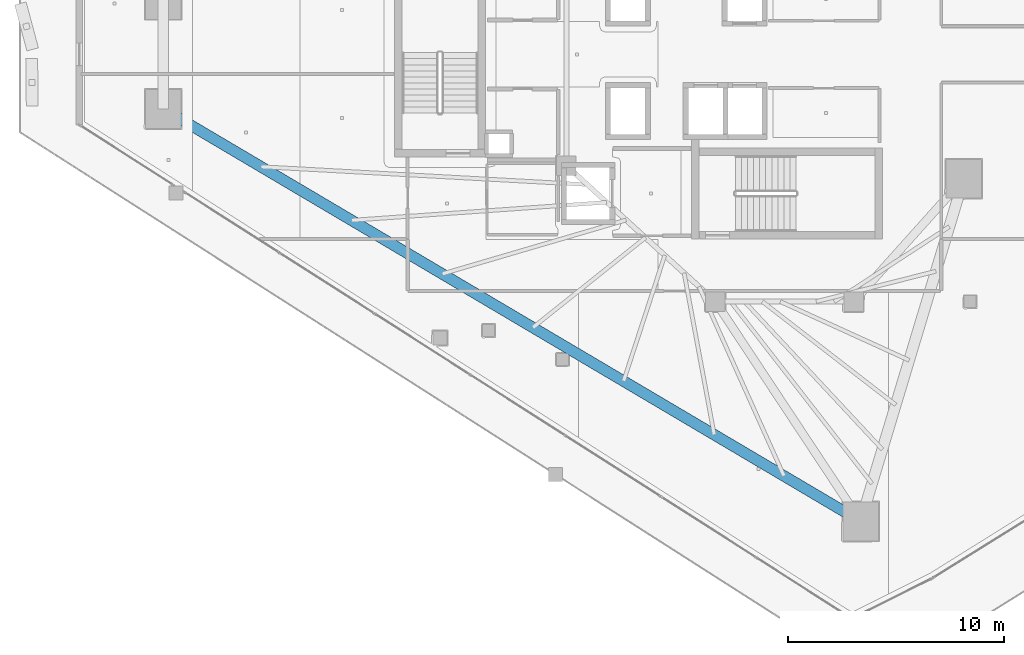
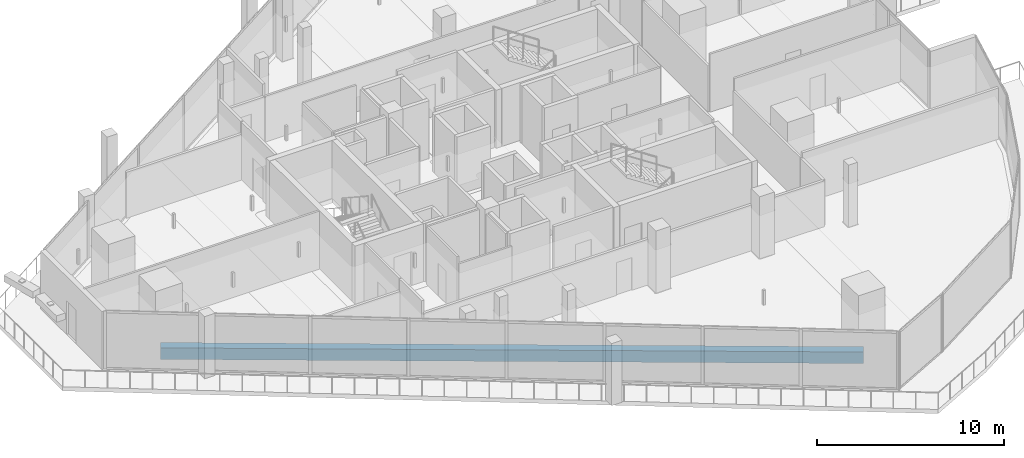
# One storey, part 4 of 30: 1 beam.
"""IFC4 building model written with IfcOpenShell, lengths in metres."""

from ifc_helpers import new_model, si_unit, direction, frame, origin, origin_2d, place, context, subcontext, project, spatial, rectangle, extrude, material, material_profile, profile_set, type_object, element, save


model = new_model("IFC4")

# Units and contexts
model_context = context("Model", 3, precision=1e-05, world=origin(), true_north=direction((0.0, 1.0)))
body_context = subcontext(model_context, "Body", "Model", "MODEL_VIEW")
ifc_project = project(units=[si_unit("LENGTHUNIT", "METRE"), si_unit("AREAUNIT", "SQUARE_METRE"), si_unit("VOLUMEUNIT", "CUBIC_METRE"), si_unit("PLANEANGLEUNIT", "RADIAN"), si_unit("MASSUNIT", "GRAM", prefix="KILO")], contexts=[model_context])

# Site, building, storey
site_placement = place(None, origin())
site = spatial("IfcSite", under=ifc_project, at=site_placement, CompositionType="ELEMENT")
building_placement = place(site_placement, origin())
building = spatial("IfcBuilding", under=site, at=building_placement, Name="Qorvath Tower", CompositionType="ELEMENT")
storey_placement = place(building_placement, frame((0.0, 0.0, 217.199951171875)))
storey = spatial("IfcBuildingStorey", under=building, at=storey_placement, Name="L50", CompositionType="ELEMENT", Elevation=217.199951171875)

# Beam
ifc_material = material(Name="Concrete C45/55", Category="concrete")
ifc_material_profile = material_profile(ifc_material, rectangle(XDim=0.5, YDim=0.75, at=origin_2d()), Name="RCB 750x500")
ifc_profile_set = profile_set([ifc_material_profile], Name="Concrete C45/55")
beam_type = type_object("IfcBeamType", Name="BM-RCB3", PredefinedType="SPANDREL", material=ifc_profile_set)
beam_placement = place(storey_placement, frame((-49.171875, -2.52783203125, -0.64501953125), z_axis=(0.860776759786, -0.50898268125, 0.0), x_axis=(0.50898268125, 0.860776759786, 0.0)))
element("IfcBeam", 1, at=beam_placement, inside=storey, type_object=beam_type, Name="Perimeter Loggia Frame Beam MC2-MC3 L50", PredefinedType="SPANDREL", context=body_context, shape_type="SweptSolid", body=[
    extrude(rectangle(XDim=0.5, YDim=0.75, at=origin_2d()), origin(), (0.0, 0.0, 1.0), 37.524658203125),
])

save(model, "model.ifc")
